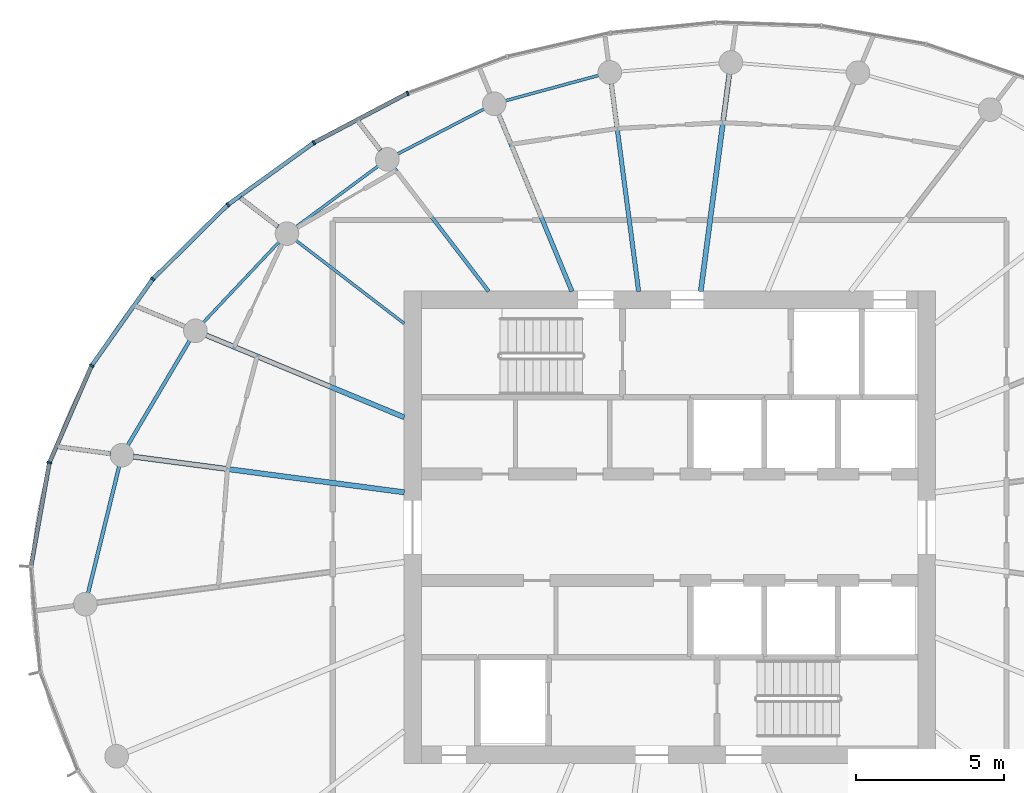
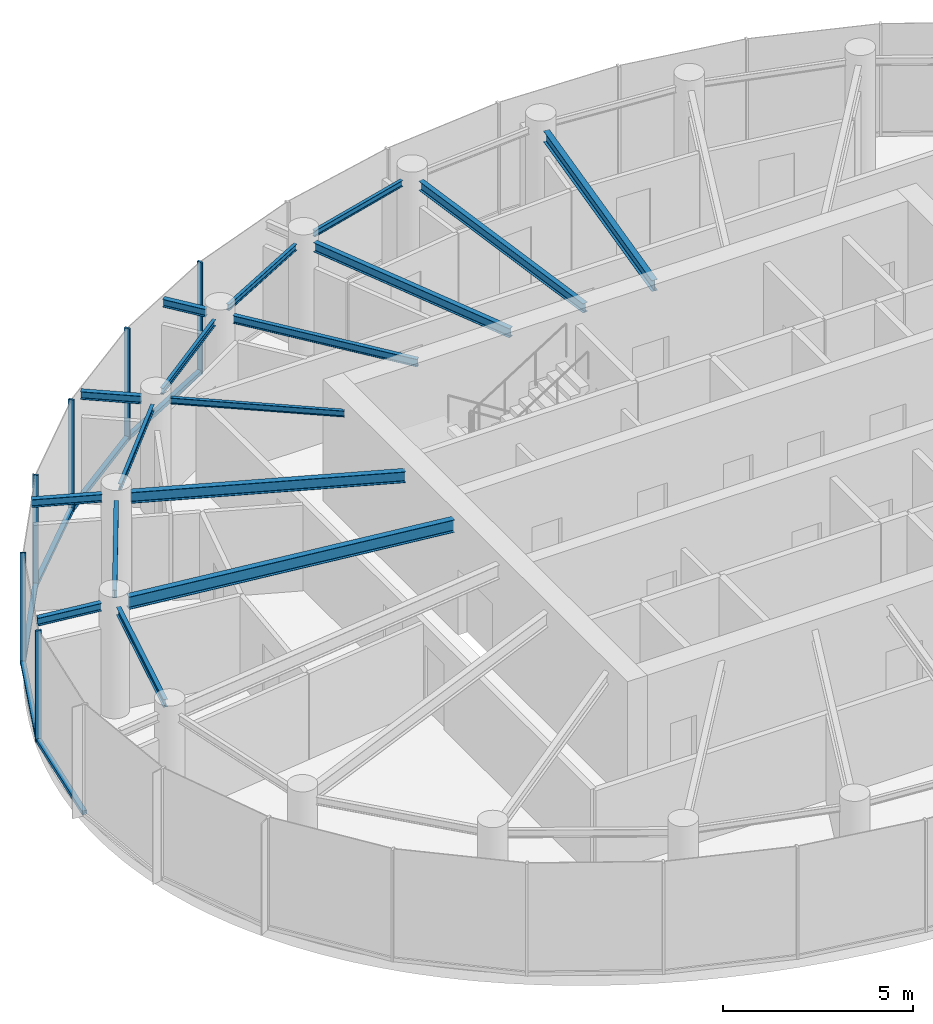
# One storey, part 4 of 13: 17 beams, 12 members, 2 elements without a shape of their own.
"""IFC4 building model written with IfcOpenShell, lengths in metres."""

from ifc_helpers import new_model, si_unit, direction, frame, origin, origin_2d, place, context, subcontext, project, spatial, rectangle, i_section, extrude, source, transform, mapped, material, layer, layer_set, material_profile, profile_set, type_object, element, aggregate, save


model = new_model("IFC4")

# Units and contexts
model_context = context("Model", 3, precision=1e-05, world=origin(), true_north=direction((0.0, 1.0)))
body_context = subcontext(model_context, "Body", "Model", "MODEL_VIEW")
ifc_project = project(units=[si_unit("LENGTHUNIT", "METRE"), si_unit("AREAUNIT", "SQUARE_METRE"), si_unit("VOLUMEUNIT", "CUBIC_METRE"), si_unit("PLANEANGLEUNIT", "RADIAN"), si_unit("MASSUNIT", "GRAM", prefix="KILO")], contexts=[model_context])

# Site, building, storey
site_placement = place(None, origin())
site = spatial("IfcSite", under=ifc_project, at=site_placement, CompositionType="ELEMENT")
building_placement = place(site_placement, origin())
building = spatial("IfcBuilding", under=site, at=building_placement, Name="Spindrift Exchange Tower", CompositionType="ELEMENT")
storey_placement = place(building_placement, frame((0.0, 0.0, 261.800048828125)))
storey = spatial("IfcBuildingStorey", under=building, at=storey_placement, Name="L64", CompositionType="ELEMENT", Elevation=261.800048828125)

# Beams
ifc_material_1 = material(Name="Steel Grade 300", Category="steel")
ifc_material_profile_1 = material_profile(ifc_material_1, i_section(OverallWidth=0.1708984375, OverallDepth=0.35205078125, WebThickness=0.0068359375, FlangeThickness=0.009765625, FilletRadius=0.013916015625, at=origin_2d()), Name="360UB44.7")
ifc_profile_set_1 = profile_set([ifc_material_profile_1], Name="Steel Grade 300")
beam_type_1 = type_object("IfcBeamType", Name="Floor Beam 360UB44.7 Steel Grade 300", PredefinedType="BEAM", material=ifc_profile_set_1)
shared_shape_1 = source(origin(), body_context, "Body", "SweptSolid", [
    extrude(i_section(OverallWidth=0.1708984375, OverallDepth=0.35205078125, WebThickness=0.0068359375, FlangeThickness=0.009765625, FilletRadius=0.013916015625, at=origin_2d()), origin(), (0.0, 0.0, 1.0), 7.43798828125),
])
beam_1_placement = place(storey_placement, frame((53.050537109375, 55.980224609375, 3.404052734375), z_axis=(0.130540269579, 0.991443007953, 0.0), x_axis=(-0.991443007953, 0.130540269579, 0.0)))
element("IfcBeam", 1, at=beam_1_placement, inside=storey, type_object=beam_type_1, Name="L64 radial beam R06A", PredefinedType="BEAM", context=body_context, shape_type="MappedRepresentation", body=[
    mapped(shared_shape_1, transform((0.0, 0.0, 0.0), scale=1.0)),
])
ifc_material_profile_2 = material_profile(ifc_material_1, i_section(OverallWidth=0.14892578125, OverallDepth=0.298095703125, WebThickness=0.005615234375, FlangeThickness=0.008056640625, FilletRadius=0.012939453125, at=origin_2d()), Name="310UB32.0")
ifc_profile_set_2 = profile_set([ifc_material_profile_2], Name="Steel Grade 300")
beam_type_2 = type_object("IfcBeamType", Name="Floor Beam 310UB32.0 Steel Grade 300", PredefinedType="BEAM", material=ifc_profile_set_2)
shared_shape_2 = source(origin(), body_context, "Body", "SweptSolid", [
    extrude(i_section(OverallWidth=0.14892578125, OverallDepth=0.298095703125, WebThickness=0.005615234375, FlangeThickness=0.008056640625, FilletRadius=0.012939453125, at=origin_2d()), origin(), (0.0, 0.0, 1.0), 7.099853515625),
])
beam_2_placement = place(storey_placement, frame((50.949462890625, 55.980224609375, 3.430908203125), z_axis=(-0.130532789835, 0.991443992759, 0.0), x_axis=(-0.991443992759, -0.130532789835, 0.0)))
element("IfcBeam", 2, at=beam_2_placement, inside=storey, type_object=beam_type_2, Name="L64 radial beam R07A", PredefinedType="BEAM", context=body_context, shape_type="MappedRepresentation", body=[
    mapped(shared_shape_2, transform((0.0, 0.0, 0.0), scale=1.0)),
])
shared_shape_3 = source(origin(), body_context, "Body", "SweptSolid", [
    extrude(i_section(OverallWidth=0.14892578125, OverallDepth=0.298095703125, WebThickness=0.005615234375, FlangeThickness=0.008056640625, FilletRadius=0.012939453125, at=origin_2d()), origin(), (0.0, 0.0, 1.0), 6.495849609375),
])
beam_3_placement = place(storey_placement, frame((48.69384765625, 55.9814453125, 3.430908203125), z_axis=(-0.382677087308, 0.923882160695, 0.0), x_axis=(-0.923882160695, -0.382677087308, 0.0)))
element("IfcBeam", 3, at=beam_3_placement, inside=storey, type_object=beam_type_2, Name="L64 radial beam R08A", PredefinedType="BEAM", context=body_context, shape_type="MappedRepresentation", body=[
    mapped(shared_shape_3, transform((0.0, 0.0, 0.0), scale=1.0)),
])
ifc_material_profile_3 = material_profile(ifc_material_1, i_section(OverallWidth=0.1240234375, OverallDepth=0.248046875, WebThickness=0.0048828125, FlangeThickness=0.008056640625, FilletRadius=0.011962890625, at=origin_2d()), Name="250UB25.7")
ifc_profile_set_3 = profile_set([ifc_material_profile_3], Name="Steel Grade 300")
beam_type_3 = type_object("IfcBeamType", Name="Floor Beam 250UB25.7 Steel Grade 300", PredefinedType="BEAM", material=ifc_profile_set_3)
shared_shape_4 = source(origin(), body_context, "Body", "SweptSolid", [
    extrude(i_section(OverallWidth=0.1240234375, OverallDepth=0.248046875, WebThickness=0.0048828125, FlangeThickness=0.008056640625, FilletRadius=0.011962890625, at=origin_2d()), origin(), (0.0, 0.0, 1.0), 5.25341796875),
])
beam_4_placement = place(storey_placement, frame((45.87353515625, 55.984130859375, 3.4560546875), z_axis=(-0.608760287872, 0.793354215915, 0.0), x_axis=(-0.793354215915, -0.608760287872, 0.0)))
element("IfcBeam", 4, at=beam_4_placement, inside=storey, type_object=beam_type_3, Name="L64 radial beam R09A", PredefinedType="BEAM", context=body_context, shape_type="MappedRepresentation", body=[
    mapped(shared_shape_4, transform((0.0, 0.0, 0.0), scale=1.0)),
])
ifc_material_profile_4 = material_profile(ifc_material_1, i_section(OverallWidth=0.09912109375, OverallDepth=0.197998046875, WebThickness=0.00439453125, FlangeThickness=0.007080078125, FilletRadius=0.010986328125, at=origin_2d()), Name="200UB18.2")
ifc_profile_set_4 = profile_set([ifc_material_profile_4], Name="Steel Grade 300")
beam_type_4 = type_object("IfcBeamType", Name="Floor Beam 200UB18.2 Steel Grade 300", PredefinedType="BEAM", material=ifc_profile_set_4)
shared_shape_5 = source(origin(), body_context, "Body", "SweptSolid", [
    extrude(i_section(OverallWidth=0.09912109375, OverallDepth=0.197998046875, WebThickness=0.00439453125, FlangeThickness=0.007080078125, FilletRadius=0.010986328125, at=origin_2d()), origin(), (0.0, 0.0, 1.0), 4.622802734375),
])
beam_5_placement = place(storey_placement, frame((43.015869140625, 54.893798828125, 3.48095703125), z_axis=(-0.793347882225, 0.608768542033, 0.0), x_axis=(-0.608768542033, -0.793347882225, 0.0)))
element("IfcBeam", 5, at=beam_5_placement, inside=storey, type_object=beam_type_4, Name="L64 radial beam R10A", PredefinedType="BEAM", context=body_context, shape_type="MappedRepresentation", body=[
    mapped(shared_shape_5, transform((0.0, 0.0, 0.0), scale=1.0)),
])
shared_shape_6 = source(origin(), body_context, "Body", "SweptSolid", [
    extrude(i_section(OverallWidth=0.1708984375, OverallDepth=0.35205078125, WebThickness=0.0068359375, FlangeThickness=0.009765625, FilletRadius=0.013916015625, at=origin_2d()), origin(), (0.0, 0.0, 1.0), 7.272705078125),
])
beam_6_placement = place(storey_placement, frame((43.0185546875, 51.72021484375, 3.404052734375), z_axis=(-0.923874446092, 0.382695711836, 0.0), x_axis=(-0.382695711836, -0.923874446092, 0.0)))
element("IfcBeam", 6, at=beam_6_placement, inside=storey, type_object=beam_type_1, Name="L64 radial beam R11A", PredefinedType="BEAM", context=body_context, shape_type="MappedRepresentation", body=[
    mapped(shared_shape_6, transform((0.0, 0.0, 0.0), scale=1.0)),
])
ifc_material_profile_5 = material_profile(ifc_material_1, i_section(OverallWidth=0.177978515625, OverallDepth=0.403076171875, WebThickness=0.007568359375, FlangeThickness=0.010986328125, FilletRadius=0.013916015625, at=origin_2d()), Name="410UB53.7")
ifc_profile_set_5 = profile_set([ifc_material_profile_5], Name="Steel Grade 300")
beam_type_5 = type_object("IfcBeamType", Name="Floor Beam 410UB53.7 Steel Grade 300", PredefinedType="BEAM", material=ifc_profile_set_5)
shared_shape_7 = source(origin(), body_context, "Body", "SweptSolid", [
    extrude(i_section(OverallWidth=0.177978515625, OverallDepth=0.403076171875, WebThickness=0.007568359375, FlangeThickness=0.010986328125, FilletRadius=0.013916015625, at=origin_2d()), origin(), (0.0, 0.0, 1.0), 9.261962890625),
])
beam_7_placement = place(storey_placement, frame((43.019775390625, 49.182373046875, 3.37841796875), z_axis=(-0.991447744872, 0.130504288008, 0.0), x_axis=(-0.130504288008, -0.991447744872, 0.0)))
element("IfcBeam", 7, at=beam_7_placement, inside=storey, type_object=beam_type_5, Name="L64 radial beam R12A", PredefinedType="BEAM", context=body_context, shape_type="MappedRepresentation", body=[
    mapped(shared_shape_7, transform((0.0, 0.0, 0.0), scale=1.0)),
])
ifc_material_profile_6 = material_profile(ifc_material_1, i_section(OverallWidth=0.09912109375, OverallDepth=0.197998046875, WebThickness=0.00439453125, FlangeThickness=0.007080078125, FilletRadius=0.010986328125, at=origin_2d()), Name="200UB18.2")
ifc_profile_set_6 = profile_set([ifc_material_profile_6], Name="Steel Grade 300")
beam_type_6 = type_object("IfcBeamType", Name="Edge Beam 200UB18.2 Steel Grade 300", PredefinedType="SPANDREL", material=ifc_profile_set_6)
shared_shape_8 = source(origin(), body_context, "Body", "SweptSolid", [
    extrude(i_section(OverallWidth=0.09912109375, OverallDepth=0.197998046875, WebThickness=0.00439453125, FlangeThickness=0.007080078125, FilletRadius=0.010986328125, at=origin_2d()), origin(), (0.0, 0.0, 1.0), 3.2919921875),
])
beam_8_placement = place(storey_placement, frame((49.6064453125, 63.29638671875, 3.48095703125), z_axis=(-0.965045644564, -0.262081864896, 0.0), x_axis=(0.262081864896, -0.965045644564, 0.0)))
element("IfcBeam", 8, at=beam_8_placement, inside=storey, type_object=beam_type_6, Name="L64 edge beam E07", PredefinedType="SPANDREL", context=body_context, shape_type="MappedRepresentation", body=[
    mapped(shared_shape_8, transform((0.0, 0.0, 0.0), scale=1.0)),
])
shared_shape_9 = source(origin(), body_context, "Body", "SweptSolid", [
    extrude(i_section(OverallWidth=0.09912109375, OverallDepth=0.197998046875, WebThickness=0.00439453125, FlangeThickness=0.007080078125, FilletRadius=0.010986328125, at=origin_2d()), origin(), (0.0, 0.0, 1.0), 3.31787109375),
])
beam_9_placement = place(storey_placement, frame((45.7255859375, 62.15869140625, 3.48095703125), z_axis=(-0.887327612278, -0.46113957593, 0.0), x_axis=(0.46113957593, -0.887327612278, 0.0)))
element("IfcBeam", 9, at=beam_9_placement, inside=storey, type_object=beam_type_6, Name="L64 edge beam E08", PredefinedType="SPANDREL", context=body_context, shape_type="MappedRepresentation", body=[
    mapped(shared_shape_9, transform((0.0, 0.0, 0.0), scale=1.0)),
])
shared_shape_10 = source(origin(), body_context, "Body", "SweptSolid", [
    extrude(i_section(OverallWidth=0.09912109375, OverallDepth=0.197998046875, WebThickness=0.00439453125, FlangeThickness=0.007080078125, FilletRadius=0.010986328125, at=origin_2d()), origin(), (0.0, 0.0, 1.0), 3.466552734375),
])
beam_10_placement = place(storey_placement, frame((42.138916015625, 60.227294921875, 3.48095703125), z_axis=(-0.803854022168, -0.594826622676, 0.0), x_axis=(0.594826622676, -0.803854022168, 0.0)))
element("IfcBeam", 10, at=beam_10_placement, inside=storey, type_object=beam_type_6, Name="L64 edge beam E09", PredefinedType="SPANDREL", context=body_context, shape_type="MappedRepresentation", body=[
    mapped(shared_shape_10, transform((0.0, 0.0, 0.0), scale=1.0)),
])
shared_shape_11 = source(origin(), body_context, "Body", "SweptSolid", [
    extrude(i_section(OverallWidth=0.09912109375, OverallDepth=0.197998046875, WebThickness=0.00439453125, FlangeThickness=0.007080078125, FilletRadius=0.010986328125, at=origin_2d()), origin(), (0.0, 0.0, 1.0), 3.759765625),
])
beam_11_placement = place(storey_placement, frame((38.786376953125, 57.66259765625, 3.48095703125), z_axis=(-0.685520646854, -0.72805318675, 0.0), x_axis=(0.72805318675, -0.685520646854, 0.0)))
element("IfcBeam", 11, at=beam_11_placement, inside=storey, type_object=beam_type_6, Name="L64 edge beam E10", PredefinedType="SPANDREL", context=body_context, shape_type="MappedRepresentation", body=[
    mapped(shared_shape_11, transform((0.0, 0.0, 0.0), scale=1.0)),
])
ifc_material_profile_7 = material_profile(ifc_material_1, i_section(OverallWidth=0.1240234375, OverallDepth=0.248046875, WebThickness=0.0048828125, FlangeThickness=0.008056640625, FilletRadius=0.011962890625, at=origin_2d()), Name="250UB25.7")
ifc_profile_set_7 = profile_set([ifc_material_profile_7], Name="Steel Grade 300")
beam_type_7 = type_object("IfcBeamType", Name="Edge Beam 250UB25.7 Steel Grade 300", PredefinedType="SPANDREL", material=ifc_profile_set_7)
shared_shape_12 = source(origin(), body_context, "Body", "SweptSolid", [
    extrude(i_section(OverallWidth=0.1240234375, OverallDepth=0.248046875, WebThickness=0.0048828125, FlangeThickness=0.008056640625, FilletRadius=0.011962890625, at=origin_2d()), origin(), (0.0, 0.0, 1.0), 4.128662109375),
])
beam_12_placement = place(storey_placement, frame((35.755126953125, 54.321533203125, 3.4560546875), z_axis=(-0.509067946458, -0.860726336235, 0.0), x_axis=(0.860726336235, -0.509067946458, 0.0)))
element("IfcBeam", 12, at=beam_12_placement, inside=storey, type_object=beam_type_7, Name="L64 edge beam E11", PredefinedType="SPANDREL", context=body_context, shape_type="MappedRepresentation", body=[
    mapped(shared_shape_12, transform((0.0, 0.0, 0.0), scale=1.0)),
])
shared_shape_13 = source(origin(), body_context, "Body", "SweptSolid", [
    extrude(i_section(OverallWidth=0.1240234375, OverallDepth=0.248046875, WebThickness=0.0048828125, FlangeThickness=0.008056640625, FilletRadius=0.011962890625, at=origin_2d()), origin(), (0.0, 0.0, 1.0), 4.43408203125),
])
beam_13_placement = place(storey_placement, frame((33.369384765625, 50.07177734375, 3.4560546875), z_axis=(-0.238193109804, -0.971217814109, 0.0), x_axis=(0.971217814109, -0.238193109804, 0.0)))
element("IfcBeam", 13, at=beam_13_placement, inside=storey, type_object=beam_type_7, Name="L64 edge beam E12", PredefinedType="SPANDREL", context=body_context, shape_type="MappedRepresentation", body=[
    mapped(shared_shape_13, transform((0.0, 0.0, 0.0), scale=1.0)),
])
ifc_material_profile_8 = material_profile(ifc_material_1, i_section(OverallWidth=0.14599609375, OverallDepth=0.251953125, WebThickness=0.006103515625, FlangeThickness=0.008544921875, FilletRadius=0.011962890625, at=origin_2d()), Name="250UB31.4")
ifc_profile_set_8 = profile_set([ifc_material_profile_8], Name="Steel Grade 300")
beam_type_8 = type_object("IfcBeamType", Name="Cantilever Beam 250UB31.4 Steel Grade 300", PredefinedType="BEAM", material=ifc_profile_set_8)
shared_shape_14 = source(origin(), body_context, "Body", "SweptSolid", [
    extrude(i_section(OverallWidth=0.14599609375, OverallDepth=0.251953125, WebThickness=0.006103515625, FlangeThickness=0.008544921875, FilletRadius=0.011962890625, at=origin_2d()), origin(), (0.0, 0.0, 1.0), 1.2265625),
])
beam_14_placement = place(storey_placement, frame((42.212890625, 60.754638671875, 3.453857421875), z_axis=(-0.608690594776, 0.793407688286, 0.0), x_axis=(-0.793407688286, -0.608690594776, 0.0)))
element("IfcBeam", 14, at=beam_14_placement, inside=storey, type_object=beam_type_8, Name="L64 cantilever beam R09T", PredefinedType="BEAM", context=body_context, shape_type="MappedRepresentation", body=[
    mapped(shared_shape_14, transform((0.0, 0.0, 0.0), scale=1.0)),
])
shared_shape_15 = source(origin(), body_context, "Body", "SweptSolid", [
    extrude(i_section(OverallWidth=0.14599609375, OverallDepth=0.251953125, WebThickness=0.006103515625, FlangeThickness=0.008544921875, FilletRadius=0.011962890625, at=origin_2d()), origin(), (0.0, 0.0, 1.0), 1.609619140625),
])
beam_15_placement = place(storey_placement, frame((38.74560546875, 58.170654296875, 3.453857421875), z_axis=(-0.79341834679, 0.608676701523, 0.0), x_axis=(-0.608676701523, -0.79341834679, 0.0)))
element("IfcBeam", 15, at=beam_15_placement, inside=storey, type_object=beam_type_8, Name="L64 cantilever beam R10T", PredefinedType="BEAM", context=body_context, shape_type="MappedRepresentation", body=[
    mapped(shared_shape_15, transform((0.0, 0.0, 0.0), scale=1.0)),
])
shared_shape_16 = source(origin(), body_context, "Body", "SweptSolid", [
    extrude(i_section(OverallWidth=0.14599609375, OverallDepth=0.251953125, WebThickness=0.006103515625, FlangeThickness=0.008544921875, FilletRadius=0.011962890625, at=origin_2d()), origin(), (0.0, 0.0, 1.0), 1.870849609375),
])
beam_16_placement = place(storey_placement, frame((35.597412109375, 54.794189453125, 3.453857421875), z_axis=(-0.923908689507, 0.382613033564, 0.0), x_axis=(-0.382613033564, -0.923908689507, 0.0)))
element("IfcBeam", 16, at=beam_16_placement, inside=storey, type_object=beam_type_8, Name="L64 cantilever beam R11T", PredefinedType="BEAM", context=body_context, shape_type="MappedRepresentation", body=[
    mapped(shared_shape_16, transform((0.0, 0.0, 0.0), scale=1.0)),
])
shared_shape_17 = source(origin(), body_context, "Body", "SweptSolid", [
    extrude(i_section(OverallWidth=0.14599609375, OverallDepth=0.251953125, WebThickness=0.006103515625, FlangeThickness=0.008544921875, FilletRadius=0.011962890625, at=origin_2d()), origin(), (0.0, 0.0, 1.0), 1.815185546875),
])
beam_17_placement = place(storey_placement, frame((33.083251953125, 50.490478515625, 3.453857421875), z_axis=(-0.991452006297, 0.130471909661, 0.0), x_axis=(-0.130471909661, -0.991452006297, 0.0)))
element("IfcBeam", 17, at=beam_17_placement, inside=storey, type_object=beam_type_8, Name="L64 cantilever beam R12T", PredefinedType="BEAM", context=body_context, shape_type="MappedRepresentation", body=[
    mapped(shared_shape_17, transform((0.0, 0.0, 0.0), scale=1.0)),
])

# Curtain wall, members
ifc_material_2 = material(Name="Fritted laminated glass with bronze frame", Category="glass")
ifc_layer = layer(ifc_material_2, 0.159912109375)
ifc_layer_set = layer_set([ifc_layer], Name="ZONE 5 BRONZE FRITTED WALL")
curtain_wall_type = type_object("IfcCurtainWallType", Name="ZONE 5 BRONZE FRITTED WALL", PredefinedType="NOTDEFINED", material=ifc_layer_set)
curtain_wall_1_placement = place(storey_placement, origin())
curtain_wall_1 = element("IfcCurtainWall", 18, at=curtain_wall_1_placement, inside=storey, type_object=curtain_wall_type, Name="L64 Zone 5 Bronze Fritted Wall run 3", PredefinedType="NOTDEFINED")
ifc_material_3 = material(Name="Bronze anodised aluminium", Category="aluminium")
ifc_material_profile_9 = material_profile(ifc_material_3, rectangle(XDim=0.139892578125, YDim=0.1201171875, at=origin_2d()), Name="ZONE 5 BRONZE FRITTED WALL TRANSOM 140X120")
ifc_profile_set_9 = profile_set([ifc_material_profile_9], Name="Bronze anodised aluminium")
member_type_1 = type_object("IfcMemberType", Name="ZONE 5 BRONZE FRITTED WALL TRANSOM 140X120", PredefinedType="USERDEFINED", material=ifc_profile_set_9)
shared_shape_18 = source(origin(), body_context, "Body", "SweptSolid", [
    extrude(rectangle(XDim=0.139892578125, YDim=0.1201171875, at=origin_2d()), origin(), (0.0, 0.0, 1.0), 3.524658203125),
])
member_1_placement = place(storey_placement, frame((37.029296875, 58.898681640625, 0.06005859375), z_axis=(-0.710802776324, -0.703391365579, 0.0), x_axis=(0.703391365579, -0.710802776324, 0.0)))
member_1 = element("IfcMember", 19, at=member_1_placement, type_object=member_type_1, Name="L64 transom CW-5.13", ObjectType="TRANSOM", PredefinedType="USERDEFINED", context=body_context, shape_type="MappedRepresentation", body=[
    mapped(shared_shape_18, transform((0.0, 0.0, 0.0), scale=1.0)),
])
shared_shape_19 = source(origin(), body_context, "Body", "SweptSolid", [
    extrude(rectangle(XDim=0.139892578125, YDim=0.1201171875, at=origin_2d()), origin(), (0.0, 0.0, 1.0), 3.521484375),
])
member_2_placement = place(storey_placement, frame((32.423828125, 53.443359375, 0.06005859375), z_axis=(-0.39947636742, -0.916743492954, 0.0), x_axis=(0.916743492954, -0.39947636742, 0.0)))
member_2 = element("IfcMember", 20, at=member_2_placement, type_object=member_type_1, Name="L64 transom CW-5.15", ObjectType="TRANSOM", PredefinedType="USERDEFINED", context=body_context, shape_type="MappedRepresentation", body=[
    mapped(shared_shape_19, transform((0.0, 0.0, 0.0), scale=1.0)),
])
shared_shape_20 = source(origin(), body_context, "Body", "SweptSolid", [
    extrude(rectangle(XDim=0.139892578125, YDim=0.1201171875, at=origin_2d()), origin(), (0.0, 0.0, 1.0), 3.519287109375),
])
member_3_placement = place(storey_placement, frame((30.999755859375, 50.157958984375, 0.06005859375), z_axis=(-0.174335405428, -0.984686328947, 0.0), x_axis=(0.984686328947, -0.174335405428, 0.0)))
member_3 = element("IfcMember", 21, at=member_3_placement, type_object=member_type_1, Name="L64 transom CW-5.16", ObjectType="TRANSOM", PredefinedType="USERDEFINED", context=body_context, shape_type="MappedRepresentation", body=[
    mapped(shared_shape_20, transform((0.0, 0.0, 0.0), scale=1.0)),
])

# Curtain wall, member
curtain_wall_2_placement = place(storey_placement, origin())
curtain_wall_2 = element("IfcCurtainWall", 22, at=curtain_wall_2_placement, inside=storey, type_object=curtain_wall_type, Name="L64 Zone 5 Bronze Fritted Wall run 2", PredefinedType="NOTDEFINED")
shared_shape_21 = source(origin(), body_context, "Body", "SweptSolid", [
    extrude(rectangle(XDim=0.139892578125, YDim=0.1201171875, at=origin_2d()), origin(), (0.0, 0.0, 1.0), 3.526123046875),
])
member_4_placement = place(storey_placement, frame((43.104248046875, 62.675048828125, 0.06005859375), z_axis=(-0.884798039458, -0.46597470894, 0.0), x_axis=(0.46597470894, -0.884798039458, 0.0)))
member_4 = element("IfcMember", 23, at=member_4_placement, type_object=member_type_1, Name="L64 transom CW-5.11", ObjectType="TRANSOM", PredefinedType="USERDEFINED", context=body_context, shape_type="MappedRepresentation", body=[
    mapped(shared_shape_21, transform((0.0, 0.0, 0.0), scale=1.0)),
])

# Member
shared_shape_22 = source(origin(), body_context, "Body", "SweptSolid", [
    extrude(rectangle(XDim=0.139892578125, YDim=0.1201171875, at=origin_2d()), origin(), (0.0, 0.0, 1.0), 3.5234375),
])
member_5_placement = place(storey_placement, frame((34.485107421875, 56.373779296875, 0.06005859375), z_axis=(-0.576713122177, -0.816946739212, 0.0), x_axis=(0.816946739212, -0.576713122177, 0.0)))
member_5 = element("IfcMember", 24, at=member_5_placement, type_object=member_type_1, Name="L64 transom CW-5.14", ObjectType="TRANSOM", PredefinedType="USERDEFINED", context=body_context, shape_type="MappedRepresentation", body=[
    mapped(shared_shape_22, transform((0.0, 0.0, 0.0), scale=1.0)),
])

shared_shape_23 = source(origin(), body_context, "Body", "SweptSolid", [
    extrude(rectangle(XDim=0.139892578125, YDim=0.1201171875, at=origin_2d()), origin(), (0.0, 0.0, 1.0), 3.525634765625),
])
member_6_placement = place(storey_placement, frame((39.93359375, 61.00048828125, 0.06005859375), z_axis=(-0.810883689687, -0.585207349406, 0.0), x_axis=(0.585207349406, -0.810883689687, 0.0)))
member_6 = element("IfcMember", 25, at=member_6_placement, type_object=member_type_1, Name="L64 transom CW-5.12", ObjectType="TRANSOM", PredefinedType="USERDEFINED", context=body_context, shape_type="MappedRepresentation", body=[
    mapped(shared_shape_23, transform((0.0, 0.0, 0.0), scale=1.0)),
])

ifc_material_profile_10 = material_profile(ifc_material_3, rectangle(XDim=0.06005859375, YDim=0.159912109375, at=origin_2d()), Name="ZONE 5 BRONZE FRITTED WALL MULLION 60X160")
ifc_profile_set_10 = profile_set([ifc_material_profile_10], Name="Bronze anodised aluminium")
member_type_2 = type_object("IfcMemberType", Name="ZONE 5 BRONZE FRITTED WALL MULLION 60X160", PredefinedType="MULLION", material=ifc_profile_set_10)
shared_shape_24 = source(origin(), body_context, "Body", "SweptSolid", [
    extrude(rectangle(XDim=0.06005859375, YDim=0.159912109375, at=origin_2d()), origin(), (0.0, 0.0, 1.0), 3.579833984375),
])
member_7_placement = place(storey_placement, frame((43.130615234375, 62.689208984375, 0.0), z_axis=(0.0, 0.0, 1.0), x_axis=(-0.913496373665, -0.406846869598, 0.0)))
member_7 = element("IfcMember", 26, at=member_7_placement, type_object=member_type_2, Name="L64 mullion CW-5.11", PredefinedType="MULLION", context=body_context, shape_type="MappedRepresentation", body=[
    mapped(shared_shape_24, transform((0.0, 0.0, 0.0), scale=1.0)),
])

member_8_placement = place(storey_placement, frame((39.957763671875, 61.01806640625, 0.0), z_axis=(0.0, 0.0, 1.0), x_axis=(-0.849920192928, -0.526911440047, 0.0)))
member_8 = element("IfcMember", 27, at=member_8_placement, type_object=member_type_2, Name="L64 mullion CW-5.12", PredefinedType="MULLION", context=body_context, shape_type="MappedRepresentation", body=[
    mapped(shared_shape_24, transform((0.0, 0.0, 0.0), scale=1.0)),
])

aggregate(curtain_wall_2, [member_7, member_4, member_8, member_6])

member_9_placement = place(storey_placement, frame((37.050537109375, 58.919677734375, 0.0), z_axis=(0.0, 0.0, 1.0), x_axis=(-0.763119924213, -0.646256900364, 0.0)))
member_9 = element("IfcMember", 28, at=member_9_placement, type_object=member_type_2, Name="L64 mullion CW-5.13", PredefinedType="MULLION", context=body_context, shape_type="MappedRepresentation", body=[
    mapped(shared_shape_24, transform((0.0, 0.0, 0.0), scale=1.0)),
])

member_10_placement = place(storey_placement, frame((34.50244140625, 56.398193359375, 0.0), z_axis=(0.0, 0.0, 1.0), x_axis=(-0.646256654936, -0.763120132057, 0.0)))
member_10 = element("IfcMember", 29, at=member_10_placement, type_object=member_type_2, Name="L64 mullion CW-5.14", PredefinedType="MULLION", context=body_context, shape_type="MappedRepresentation", body=[
    mapped(shared_shape_24, transform((0.0, 0.0, 0.0), scale=1.0)),
])

member_11_placement = place(storey_placement, frame((32.435791015625, 53.470703125, 0.0), z_axis=(0.0, 0.0, 1.0), x_axis=(-0.490644814215, -0.871359665284, 0.0)))
member_11 = element("IfcMember", 30, at=member_11_placement, type_object=member_type_2, Name="L64 mullion CW-5.15", PredefinedType="MULLION", context=body_context, shape_type="MappedRepresentation", body=[
    mapped(shared_shape_24, transform((0.0, 0.0, 0.0), scale=1.0)),
])

member_12_placement = place(storey_placement, frame((31.005126953125, 50.1875, 0.0), z_axis=(0.0, 0.0, 1.0), x_axis=(-0.288946454418, -0.957345259809, 0.0)))
member_12 = element("IfcMember", 31, at=member_12_placement, type_object=member_type_2, Name="L64 mullion CW-5.16", PredefinedType="MULLION", context=body_context, shape_type="MappedRepresentation", body=[
    mapped(shared_shape_24, transform((0.0, 0.0, 0.0), scale=1.0)),
])

aggregate(curtain_wall_1, [member_9, member_1, member_10, member_5, member_11, member_2, member_12, member_3])

save(model, "model.ifc")
